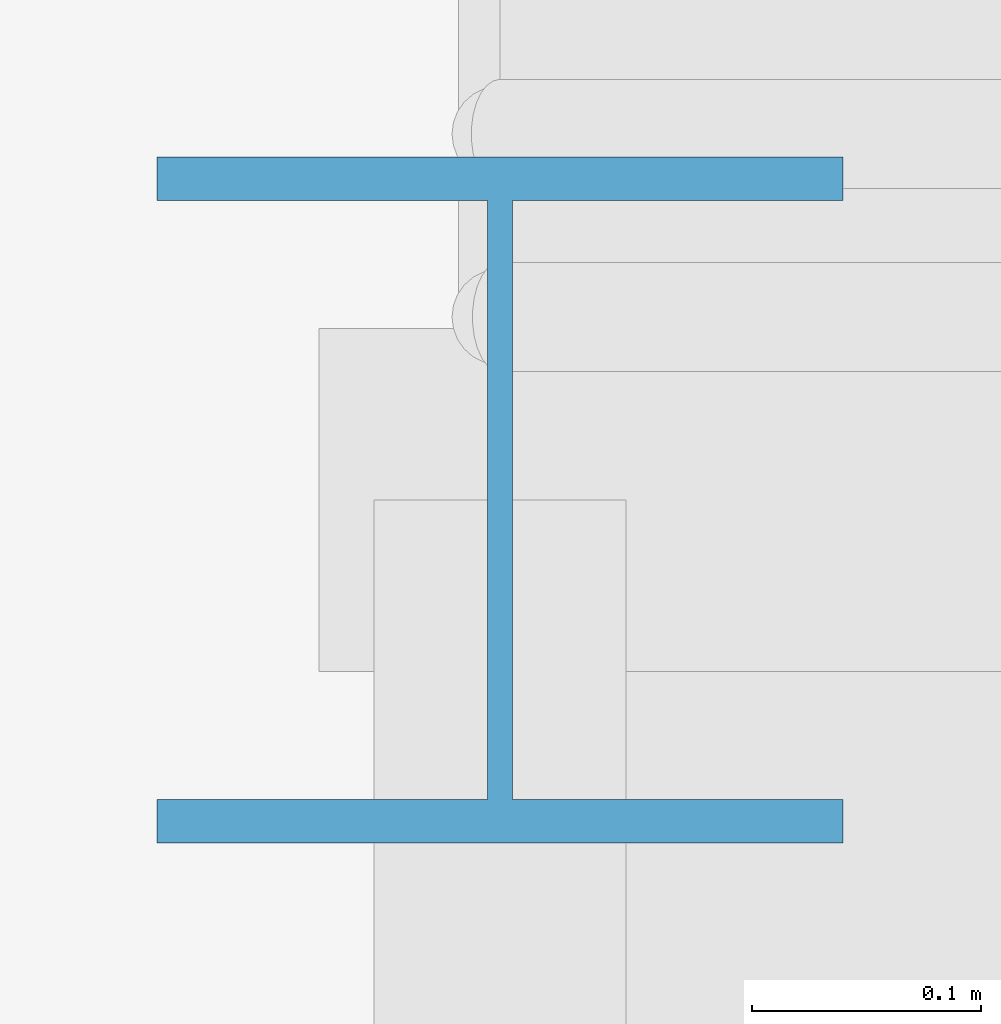
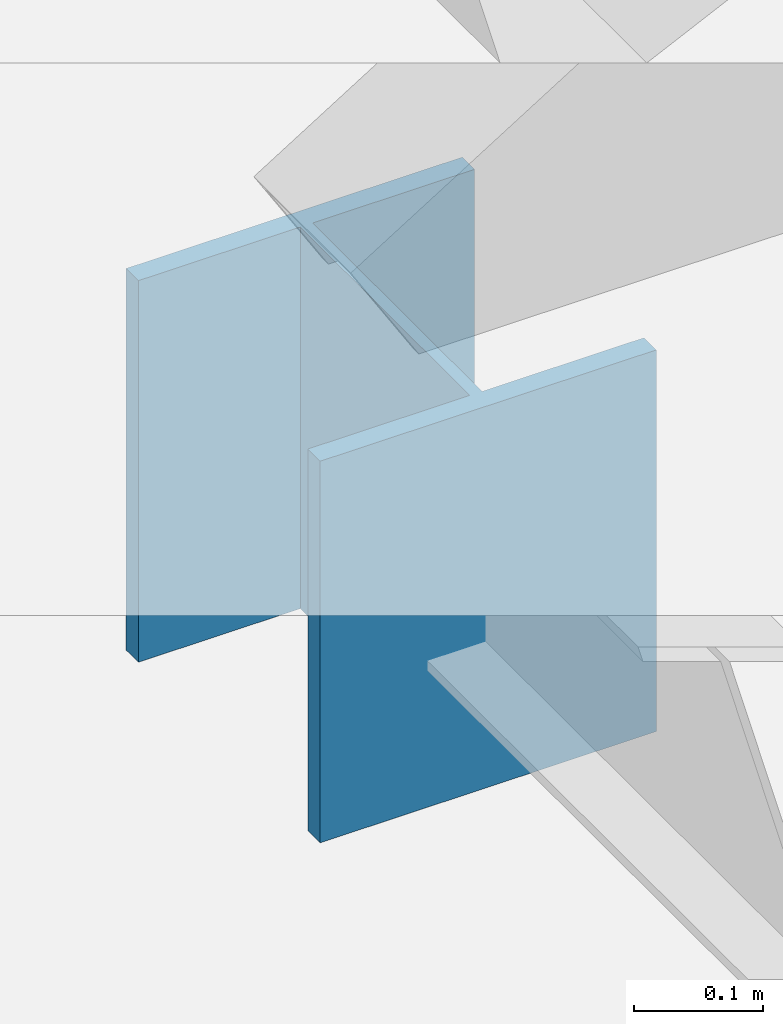
# One storey, part 36 of 115: 1 column.
"""IFC4 building model written with IfcOpenShell, lengths in metres."""

from ifc_helpers import new_model, si_unit, direction, frame, origin, origin_2d, place, context, subcontext, project, spatial, i_section, extrude, material, material_profile, profile_set, type_object, element, save


model = new_model("IFC4")

# Units and contexts
model_context = context("Model", 3, precision=1e-05, world=origin(), true_north=direction((0.0, 1.0)))
body_context = subcontext(model_context, "Body", "Model", "MODEL_VIEW")
ifc_project = project(units=[si_unit("LENGTHUNIT", "METRE"), si_unit("AREAUNIT", "SQUARE_METRE"), si_unit("VOLUMEUNIT", "CUBIC_METRE"), si_unit("PLANEANGLEUNIT", "RADIAN"), si_unit("MASSUNIT", "GRAM", prefix="KILO")], contexts=[model_context])

# Site, building, storey
site_placement = place(None, origin())
site = spatial("IfcSite", under=ifc_project, at=site_placement, CompositionType="ELEMENT")
building_placement = place(site_placement, origin())
building = spatial("IfcBuilding", under=site, at=building_placement, Name="Tamarisk Ironworks Central Station", CompositionType="ELEMENT")
storey_placement = place(building_placement, origin())
storey = spatial("IfcBuildingStorey", under=building, at=storey_placement, Name="L00", CompositionType="ELEMENT", Elevation=0.0)

# Column
ifc_material = material(Name="Structural steel S355J2", Category="steel")
ifc_material_profile = material_profile(ifc_material, i_section(OverallWidth=0.300048828125, OverallDepth=0.300048828125, WebThickness=0.010986328125, FlangeThickness=0.01904296875, at=origin_2d()), Name="HEB 300")
ifc_profile_set = profile_set([ifc_material_profile], Name="Structural steel S355J2")
column_type = type_object("IfcColumnType", Name="COL-S12", PredefinedType="COLUMN", material=ifc_profile_set)
column_placement = place(storey_placement, frame((57.760009765625, 65.679931640625, 0.0), z_axis=(0.0, 0.0, 1.0), x_axis=(1.0, 0.0, 0.0)))
element("IfcColumn", 1, at=column_placement, inside=storey, type_object=column_type, Name="ST-P4A bottom stringer support post N", PredefinedType="COLUMN", context=body_context, shape_type="SweptSolid", body=[
    extrude(i_section(OverallWidth=0.300048828125, OverallDepth=0.300048828125, WebThickness=0.010986328125, FlangeThickness=0.01904296875, at=origin_2d()), origin(), (0.0, 0.0, 1.0), 0.360107421875),
])

save(model, "model.ifc")
